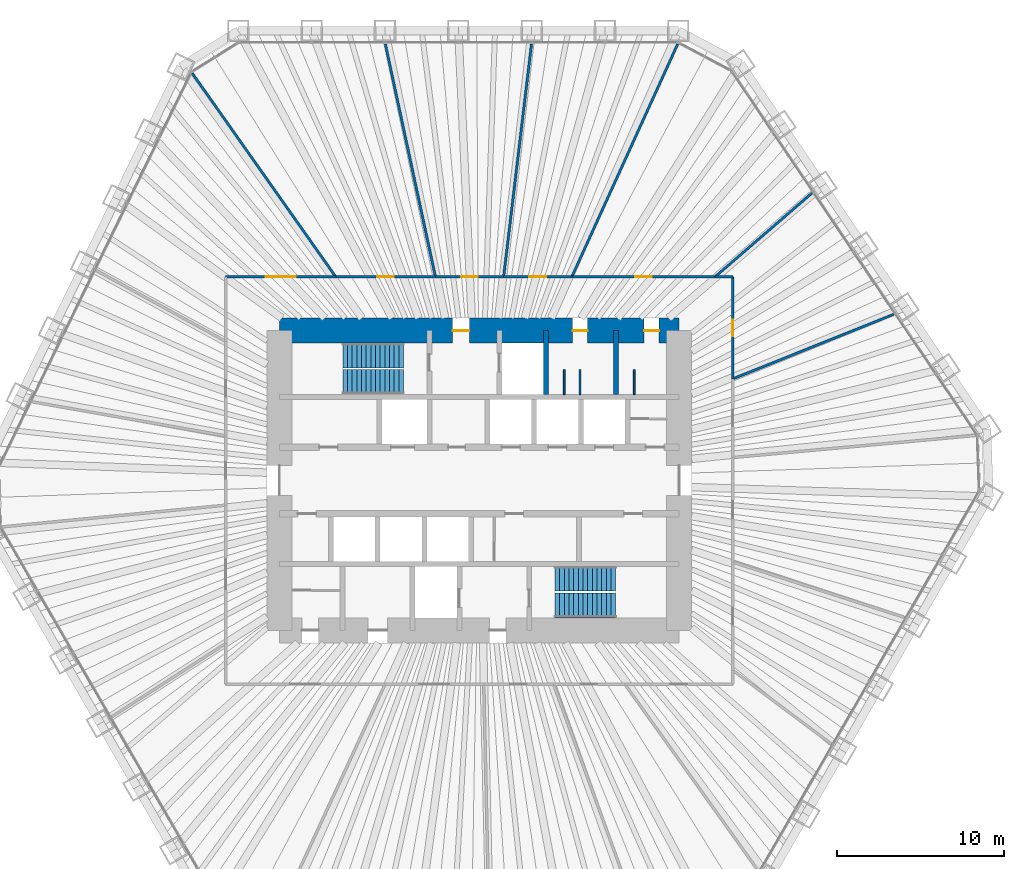
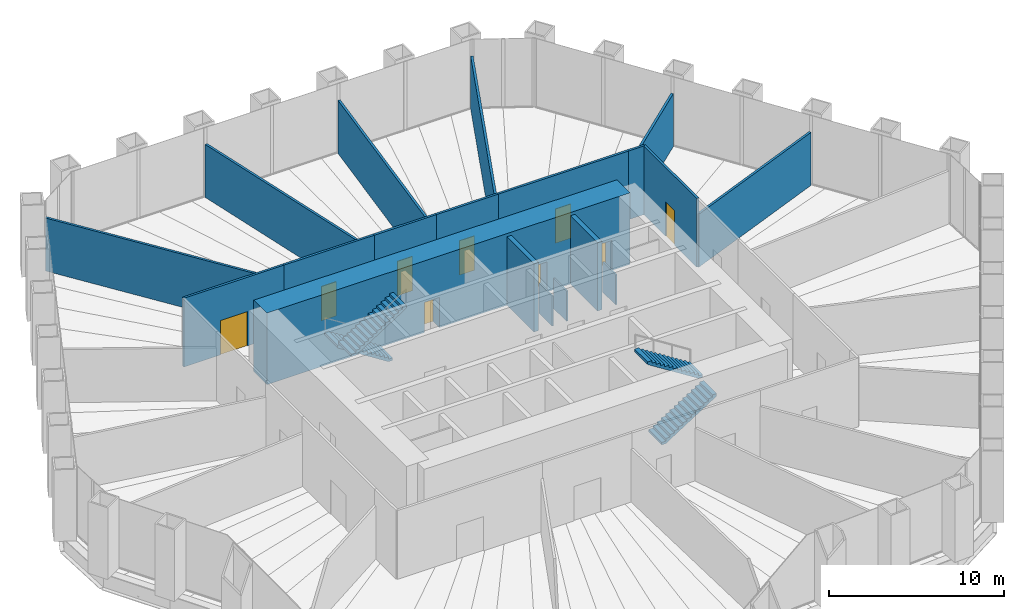
# One storey, part 12 of 13: 19 walls, 9 doors, 4 stair flights, 9 openings, 2 elements without a shape of their own.
"""IFC4 building model written with IfcOpenShell, lengths in metres."""

from ifc_helpers import new_model, si_unit, direction, frame, frame_2d, origin, place, context, subcontext, project, spatial, polyline, rectangle, outline, extrude, material, layer, layer_set, type_object, element, fill, aggregate, save


model = new_model("IFC4")

# Units and contexts
model_context = context("Model", 3, precision=1e-05, world=origin(), true_north=direction((0.0, 1.0)))
body_context = subcontext(model_context, "Body", "Model", "MODEL_VIEW")
ifc_project = project(units=[si_unit("LENGTHUNIT", "METRE"), si_unit("AREAUNIT", "SQUARE_METRE"), si_unit("VOLUMEUNIT", "CUBIC_METRE"), si_unit("PLANEANGLEUNIT", "RADIAN"), si_unit("MASSUNIT", "GRAM", prefix="KILO")], contexts=[model_context])

# Site, building, storey
site_placement = place(None, origin())
site = spatial("IfcSite", under=ifc_project, at=site_placement, CompositionType="ELEMENT")
building_placement = place(site_placement, origin())
building = spatial("IfcBuilding", under=site, at=building_placement, Name="Qingtian Harvest Tower", CompositionType="ELEMENT")
storey_placement = place(building_placement, frame((0.0, 0.0, 62.0)))
storey = spatial("IfcBuildingStorey", under=building, at=storey_placement, Name="L12", CompositionType="ELEMENT", Elevation=62.0)

# Walls
ifc_material_1 = material(Name="Precast concrete shaft panel", Category="concrete")
ifc_layer_1 = layer(ifc_material_1, 0.300048828125)
ifc_layer_set_1 = layer_set([ifc_layer_1], Name="Core shaft partition SW1 300")
wall_type_1 = type_object("IfcWallType", Name="Core shaft partition SW1 300", PredefinedType="PARTITIONING", material=ifc_layer_set_1)
for number, where, z_axis, x_axis, name in (
    (1, (4.0, 5.14990234375, 0.0), (0.0, 0.0, 1.0), (0.0, 1.0, 0.0), "Core shaft partition XN3 L12"),
    (2, (8.199951171875, 5.14990234375, 0.0), (0.0, 0.0, 1.0), (0.0, 1.0, 0.0), "Core shaft partition XN4 L12"),
):
    element("IfcWall", number, at=place(storey_placement, frame(where, z_axis=z_axis, x_axis=x_axis)), inside=storey, type_object=wall_type_1, Name=name, PredefinedType="PARTITIONING", context=body_context, shape_type="SweptSolid", body=[
        extrude(rectangle(XDim=3.85009765625, YDim=0.300048828125, at=frame_2d((1.925048828125, 0.0))), origin(), (0.0, 0.0, 1.0), 4.780029296875),
    ])

# Wall, openings, doors
ifc_material_2 = material(Name="Concrete fc' 70 MPa", Category="concrete")
ifc_layer_2 = layer(ifc_material_2, 1.5)
ifc_layer_set_2 = layer_set([ifc_layer_2], Name="Core wall RC1 1500")
wall_type_2 = type_object("IfcWallType", Name="Core wall RC1 1500", PredefinedType="SHEAR", material=ifc_layer_set_2)
wall_1_placement = place(storey_placement, frame((-12.0, 9.0, 0.0), z_axis=(0.0, 0.0, 1.0), x_axis=(1.0, 0.0, 0.0)))
wall_1 = element("IfcWall", 3, at=wall_1_placement, inside=storey, type_object=wall_type_2, Name="Core wall CN L12", PredefinedType="SHEAR", context=body_context, shape_type="SweptSolid", body=[
    extrude(rectangle(XDim=24.0, YDim=1.5, at=frame_2d((12.0, 0.0))), origin(), (0.0, 0.0, 1.0), 5.0),
])
opening_1_placement = place(wall_1_placement, frame((10.39990234375, 0.0, 0.0)))
opening_1 = element("IfcOpeningElement", 4, at=opening_1_placement, cuts=wall_1, Name="Opening FD1", PredefinedType="OPENING", context=body_context, shape_type="SweptSolid", body=[
    extrude(rectangle(XDim=1.0, YDim=2.10009765625, at=frame_2d((0.5, 1.050048828125))), frame((0.0, 0.760009765625, 0.0), z_axis=(0.0, -1.0, 0.0), x_axis=(1.0, 0.0, 0.0)), (0.0, 0.0, 1.0), 1.52001953125),
])
opening_2_placement = place(wall_1_placement, frame((17.60009765625, 0.0, 0.0)))
opening_2 = element("IfcOpeningElement", 5, at=opening_2_placement, cuts=wall_1, Name="Opening D1", PredefinedType="OPENING", context=body_context, shape_type="SweptSolid", body=[
    extrude(rectangle(XDim=0.89990234375, YDim=2.10009765625, at=frame_2d((0.449951171875, 1.050048828125))), frame((0.0, 0.760009765625, 0.0), z_axis=(0.0, -1.0, 0.0), x_axis=(1.0, 0.0, 0.0)), (0.0, 0.0, 1.0), 1.52001953125),
])
opening_3_placement = place(wall_1_placement, frame((21.89990234375, 0.0, 0.0)))
opening_3 = element("IfcOpeningElement", 6, at=opening_3_placement, cuts=wall_1, Name="Opening D1", PredefinedType="OPENING", context=body_context, shape_type="SweptSolid", body=[
    extrude(rectangle(XDim=0.89990234375, YDim=2.10009765625, at=frame_2d((0.449951171875, 1.050048828125))), frame((0.0, 0.760009765625, 0.0), z_axis=(0.0, -1.0, 0.0), x_axis=(1.0, 0.0, 0.0)), (0.0, 0.0, 1.0), 1.52001953125),
])
ifc_material_3 = material(Name="Steel-faced door leaf", Category="steel")
door_type_1 = type_object("IfcDoorType", Name="Fire door FD1 single 1 HR", OperationType="SINGLE_SWING_LEFT", PredefinedType="DOOR", material=ifc_material_3)
door_1_placement = place(opening_1_placement, origin())
door_1 = element("IfcDoor", 7, at=door_1_placement, inside=storey, type_object=door_type_1, Name="V1 door L12", OperationType="SINGLE_SWING_LEFT", OverallHeight=2.10009765625, OverallWidth=1.0, PredefinedType="DOOR", context=body_context, shape_type="SweptSolid", body=[
    extrude(rectangle(XDim=1.0, YDim=2.10009765625, at=frame_2d((0.5, 1.050048828125))), frame((0.0, 0.02490234375, 0.0), z_axis=(0.0, -1.0, 0.0), x_axis=(1.0, 0.0, 0.0)), (0.0, 0.0, 1.0), 0.050048828125),
])
fill(opening_1, door_1)
ifc_material_4 = material(Name="Laminated timber door leaf", Category="wood")
door_type_2 = type_object("IfcDoorType", Name="Toilet door D1 single", OperationType="SINGLE_SWING_LEFT", PredefinedType="DOOR", material=ifc_material_4)
door_2_placement = place(opening_2_placement, origin())
door_2 = element("IfcDoor", 8, at=door_2_placement, inside=storey, type_object=door_type_2, Name="WCM door L12", OperationType="SINGLE_SWING_RIGHT", OverallHeight=2.10009765625, OverallWidth=0.89990234375, PredefinedType="DOOR", context=body_context, shape_type="SweptSolid", body=[
    extrude(rectangle(XDim=0.89990234375, YDim=2.10009765625, at=frame_2d((0.449951171875, 1.050048828125))), frame((0.0, 0.02490234375, 0.0), z_axis=(0.0, -1.0, 0.0), x_axis=(1.0, 0.0, 0.0)), (0.0, 0.0, 1.0), 0.050048828125),
])
fill(opening_2, door_2)
door_3_placement = place(opening_3_placement, origin())
door_3 = element("IfcDoor", 9, at=door_3_placement, inside=storey, type_object=door_type_2, Name="WCF door L12", OperationType="SINGLE_SWING_RIGHT", OverallHeight=2.10009765625, OverallWidth=0.89990234375, PredefinedType="DOOR", context=body_context, shape_type="SweptSolid", body=[
    extrude(rectangle(XDim=0.89990234375, YDim=2.10009765625, at=frame_2d((0.449951171875, 1.050048828125))), frame((0.0, 0.02490234375, 0.0), z_axis=(0.0, -1.0, 0.0), x_axis=(1.0, 0.0, 0.0)), (0.0, 0.0, 1.0), 0.050048828125),
])
fill(opening_3, door_3)

# Wall
ifc_material_5 = material(Name="Gypsum board on steel studs", Category="steel")
ifc_layer_3 = layer(ifc_material_5, 0.14990234375)
ifc_layer_set_3 = layer_set([ifc_layer_3], Name="Partition PT1 150")
wall_type_3 = type_object("IfcWallType", Name="Partition PT1 150", PredefinedType="PARTITIONING", material=ifc_layer_set_3)
wall_2_placement = place(storey_placement, frame((11.914794921875, 26.208984375, 0.0), z_axis=(0.0, 0.0, 1.0), x_axis=(-0.413849644385, -0.910345248707, 0.0)))
element("IfcWall", 10, at=wall_2_placement, inside=storey, type_object=wall_type_3, Name="Mushroom growing room wall L12", PredefinedType="PARTITIONING", context=body_context, shape_type="SweptSolid", body=[
    extrude(rectangle(XDim=15.361083984375, YDim=0.14990234375, at=frame_2d((7.6806640625, 0.0))), origin(), (0.0, 0.0, 1.0), 3.699951171875),
])

# Wall, opening, door
wall_3_placement = place(storey_placement, frame((5.5576171875, 12.22509765625, 0.0), z_axis=(0.0, 0.0, 1.0), x_axis=(1.0, 0.0, 0.0)))
wall_3 = element("IfcWall", 11, at=wall_3_placement, inside=storey, type_object=wall_type_3, Name="Mushroom growing room wall L12", PredefinedType="PARTITIONING", context=body_context, shape_type="SweptSolid", body=[
    extrude(rectangle(XDim=8.593505859375, YDim=0.14990234375, at=frame_2d((4.296875, 0.0))), origin(), (0.0, 0.0, 1.0), 4.800048828125),
])
opening_4_placement = place(wall_3_placement, frame((3.796875, 0.0, 0.0)))
opening_4 = element("IfcOpeningElement", 12, at=opening_4_placement, cuts=wall_3, Name="Opening D2", PredefinedType="OPENING", context=body_context, shape_type="SweptSolid", body=[
    extrude(rectangle(XDim=1.0, YDim=2.39990234375, at=frame_2d((0.5, 1.199951171875))), frame((0.0, 0.0849609375, 0.0), z_axis=(0.0, -1.0, 0.0), x_axis=(1.0, 0.0, 0.0)), (0.0, 0.0, 1.0), 0.169921875),
])
ifc_material_6 = material(Name="Laminated timber door leaf", Category="wood")
door_type_3 = type_object("IfcDoorType", Name="Room door D2 single", OperationType="SINGLE_SWING_LEFT", PredefinedType="DOOR", material=ifc_material_6)
door_4_placement = place(opening_4_placement, origin())
door_4 = element("IfcDoor", 13, at=door_4_placement, inside=storey, type_object=door_type_3, Name="Mushroom growing room door L12", OperationType="SINGLE_SWING_RIGHT", OverallHeight=2.39990234375, OverallWidth=1.0, PredefinedType="DOOR", context=body_context, shape_type="SweptSolid", body=[
    extrude(rectangle(XDim=1.0, YDim=2.39990234375, at=frame_2d((0.5, 1.199951171875))), frame((0.0, 0.02490234375, 0.0), z_axis=(0.0, -1.0, 0.0), x_axis=(1.0, 0.0, 0.0)), (0.0, 0.0, 1.0), 0.050048828125),
])
fill(opening_4, door_4)

# Walls
wall_4_placement = place(storey_placement, frame((19.96826171875, 17.250244140625, 0.0), z_axis=(0.0, 0.0, 1.0), x_axis=(-0.756742305634, -0.653713303264, 0.0)))
element("IfcWall", 14, at=wall_4_placement, inside=storey, type_object=wall_type_3, Name="Mushroom growing room wall L12", PredefinedType="PARTITIONING", context=body_context, shape_type="SweptSolid", body=[
    extrude(rectangle(XDim=7.68701171875, YDim=0.14990234375, at=frame_2d((3.843505859375, 0.0))), origin(), (0.0, 0.0, 1.0), 3.699951171875),
])
wall_5_placement = place(storey_placement, frame((14.151123046875, 12.22509765625, 0.0), z_axis=(0.0, 0.0, 1.0), x_axis=(1.0, 0.0, 0.0)))
element("IfcWall", 15, at=wall_5_placement, inside=storey, type_object=wall_type_3, Name="Mushroom growing room wall L12", PredefinedType="PARTITIONING", context=body_context, shape_type="SweptSolid", body=[
    extrude(rectangle(XDim=1.073974609375, YDim=0.14990234375, at=frame_2d((0.537109375, 0.0))), origin(), (0.0, 0.0, 1.0), 4.800048828125),
])

# Wall, opening, door
wall_6_placement = place(storey_placement, frame((15.22509765625, 12.22509765625, 0.0), z_axis=(0.0, 0.0, 1.0), x_axis=(0.0, -1.0, 0.0)))
wall_6 = element("IfcWall", 16, at=wall_6_placement, inside=storey, type_object=wall_type_3, Name="Mushroom growing room wall L12", PredefinedType="PARTITIONING", context=body_context, shape_type="SweptSolid", body=[
    extrude(rectangle(XDim=6.1201171875, YDim=0.14990234375, at=frame_2d((3.06005859375, 0.0))), origin(), (0.0, 0.0, 1.0), 4.800048828125),
])
opening_5_placement = place(wall_6_placement, frame((2.56005859375, 0.0, 0.0)))
opening_5 = element("IfcOpeningElement", 17, at=opening_5_placement, cuts=wall_6, Name="Opening D2", PredefinedType="OPENING", context=body_context, shape_type="SweptSolid", body=[
    extrude(rectangle(XDim=1.0, YDim=2.39990234375, at=frame_2d((0.5, 1.199951171875))), frame((0.0, 0.0849609375, 0.0), z_axis=(0.0, -1.0, 0.0), x_axis=(1.0, 0.0, 0.0)), (0.0, 0.0, 1.0), 0.169921875),
])
door_5_placement = place(opening_5_placement, origin())
door_5 = element("IfcDoor", 18, at=door_5_placement, inside=storey, type_object=door_type_3, Name="Mushroom growing room door L12", OperationType="SINGLE_SWING_LEFT", OverallHeight=2.39990234375, OverallWidth=1.0, PredefinedType="DOOR", context=body_context, shape_type="SweptSolid", body=[
    extrude(rectangle(XDim=1.0, YDim=2.39990234375, at=frame_2d((0.5, 1.199951171875))), frame((0.0, 0.02490234375, 0.0), z_axis=(0.0, -1.0, 0.0), x_axis=(1.0, 0.0, 0.0)), (0.0, 0.0, 1.0), 0.050048828125),
])
fill(opening_5, door_5)

# Wall
wall_7_placement = place(storey_placement, frame((24.877197265625, 9.975341796875, 0.0), z_axis=(0.0, 0.0, 1.0), x_axis=(-0.928160631083, -0.372179852904, 0.0)))
element("IfcWall", 19, at=wall_7_placement, inside=storey, type_object=wall_type_3, Name="Mushroom growing room wall L12", PredefinedType="PARTITIONING", context=body_context, shape_type="SweptSolid", body=[
    extrude(rectangle(XDim=10.399169921875, YDim=0.14990234375, at=frame_2d((5.19970703125, 0.0))), origin(), (0.0, 0.0, 1.0), 3.699951171875),
])

# Wall, opening, door
wall_8_placement = place(storey_placement, frame((-15.22509765625, 12.22509765625, 0.0), z_axis=(0.0, 0.0, 1.0), x_axis=(1.0, 0.0, 0.0)))
wall_8 = element("IfcWall", 20, at=wall_8_placement, inside=storey, type_object=wall_type_3, Name="Mushroom growing room wall L12", PredefinedType="PARTITIONING", context=body_context, shape_type="SweptSolid", body=[
    extrude(rectangle(XDim=6.608154296875, YDim=0.14990234375, at=frame_2d((3.30419921875, 0.0))), origin(), (0.0, 0.0, 1.0), 4.800048828125),
])
opening_6_placement = place(wall_8_placement, frame((2.404052734375, 0.0, 0.0)))
opening_6 = element("IfcOpeningElement", 21, at=opening_6_placement, cuts=wall_8, Name="Opening D3", PredefinedType="OPENING", context=body_context, shape_type="SweptSolid", body=[
    extrude(rectangle(XDim=1.800048828125, YDim=2.39990234375, at=frame_2d((0.89990234375, 1.199951171875))), frame((0.0, 0.0849609375, 0.0), z_axis=(0.0, -1.0, 0.0), x_axis=(1.0, 0.0, 0.0)), (0.0, 0.0, 1.0), 0.169921875),
])
ifc_material_7 = material(Name="Laminated timber door leaf", Category="wood")
door_type_4 = type_object("IfcDoorType", Name="Room door D3 double", OperationType="DOUBLE_DOOR_DOUBLE_SWING", PredefinedType="DOOR", material=ifc_material_7)
door_6_placement = place(opening_6_placement, origin())
door_6 = element("IfcDoor", 22, at=door_6_placement, inside=storey, type_object=door_type_4, Name="Mushroom growing room door L12", OperationType="DOUBLE_DOOR_DOUBLE_SWING", OverallHeight=2.39990234375, OverallWidth=1.800048828125, PredefinedType="DOOR", context=body_context, shape_type="SweptSolid", body=[
    extrude(rectangle(XDim=1.800048828125, YDim=2.39990234375, at=frame_2d((0.89990234375, 1.199951171875))), frame((0.0, 0.02490234375, 0.0), z_axis=(0.0, -1.0, 0.0), x_axis=(1.0, 0.0, 0.0)), (0.0, 0.0, 1.0), 0.050048828125),
])
fill(opening_6, door_6)

# Wall
wall_9_placement = place(storey_placement, frame((-17.23681640625, 24.454345703125, 0.0), z_axis=(0.0, 0.0, 1.0), x_axis=(0.576123781225, -0.817362458587, 0.0)))
element("IfcWall", 23, at=wall_9_placement, inside=storey, type_object=wall_type_3, Name="Harvest wash room wall L12", PredefinedType="PARTITIONING", context=body_context, shape_type="SweptSolid", body=[
    extrude(rectangle(XDim=14.9619140625, YDim=0.14990234375, at=frame_2d((7.48095703125, 0.0))), origin(), (0.0, 0.0, 1.0), 3.699951171875),
])

# Wall, opening, door
wall_10_placement = place(storey_placement, frame((-8.616943359375, 12.22509765625, 0.0), z_axis=(0.0, 0.0, 1.0), x_axis=(1.0, 0.0, 0.0)))
wall_10 = element("IfcWall", 24, at=wall_10_placement, inside=storey, type_object=wall_type_3, Name="Harvest wash room wall L12", PredefinedType="PARTITIONING", context=body_context, shape_type="SweptSolid", body=[
    extrude(rectangle(XDim=5.98486328125, YDim=0.14990234375, at=frame_2d((2.992431640625, 0.0))), origin(), (0.0, 0.0, 1.0), 4.800048828125),
])
opening_7_placement = place(wall_10_placement, frame((2.492431640625, 0.0, 0.0)))
opening_7 = element("IfcOpeningElement", 25, at=opening_7_placement, cuts=wall_10, Name="Opening D2", PredefinedType="OPENING", context=body_context, shape_type="SweptSolid", body=[
    extrude(rectangle(XDim=1.0, YDim=2.39990234375, at=frame_2d((0.5, 1.199951171875))), frame((0.0, 0.0849609375, 0.0), z_axis=(0.0, -1.0, 0.0), x_axis=(1.0, 0.0, 0.0)), (0.0, 0.0, 1.0), 0.169921875),
])
door_7_placement = place(opening_7_placement, origin())
door_7 = element("IfcDoor", 26, at=door_7_placement, inside=storey, type_object=door_type_3, Name="Harvest wash room door L12", OperationType="SINGLE_SWING_LEFT", OverallHeight=2.39990234375, OverallWidth=1.0, PredefinedType="DOOR", context=body_context, shape_type="SweptSolid", body=[
    extrude(rectangle(XDim=1.0, YDim=2.39990234375, at=frame_2d((0.5, 1.199951171875))), frame((0.0, 0.02490234375, 0.0), z_axis=(0.0, -1.0, 0.0), x_axis=(1.0, 0.0, 0.0)), (0.0, 0.0, 1.0), 0.050048828125),
])
fill(opening_7, door_7)

# Wall
wall_11_placement = place(storey_placement, frame((-5.64111328125, 26.2021484375, 0.0), z_axis=(0.0, 0.0, 1.0), x_axis=(0.21046192705, -0.977602054653, 0.0)))
element("IfcWall", 27, at=wall_11_placement, inside=storey, type_object=wall_type_3, Name="Spawn store wall L12", PredefinedType="PARTITIONING", context=body_context, shape_type="SweptSolid", body=[
    extrude(rectangle(XDim=14.29736328125, YDim=0.14990234375, at=frame_2d((7.148681640625, 0.0))), origin(), (0.0, 0.0, 1.0), 3.699951171875),
])

# Wall, opening, door
wall_12_placement = place(storey_placement, frame((-2.632080078125, 12.22509765625, 0.0), z_axis=(0.0, 0.0, 1.0), x_axis=(1.0, 0.0, 0.0)))
wall_12 = element("IfcWall", 28, at=wall_12_placement, inside=storey, type_object=wall_type_3, Name="Spawn store wall L12", PredefinedType="PARTITIONING", context=body_context, shape_type="SweptSolid", body=[
    extrude(rectangle(XDim=4.094970703125, YDim=0.14990234375, at=frame_2d((2.04736328125, 0.0))), origin(), (0.0, 0.0, 1.0), 4.800048828125),
])
opening_8_placement = place(wall_12_placement, frame((1.54736328125, 0.0, 0.0)))
opening_8 = element("IfcOpeningElement", 29, at=opening_8_placement, cuts=wall_12, Name="Opening D2", PredefinedType="OPENING", context=body_context, shape_type="SweptSolid", body=[
    extrude(rectangle(XDim=1.0, YDim=2.39990234375, at=frame_2d((0.5, 1.199951171875))), frame((0.0, 0.0849609375, 0.0), z_axis=(0.0, -1.0, 0.0), x_axis=(1.0, 0.0, 0.0)), (0.0, 0.0, 1.0), 0.169921875),
])
door_8_placement = place(opening_8_placement, origin())
door_8 = element("IfcDoor", 30, at=door_8_placement, inside=storey, type_object=door_type_3, Name="Spawn store door L12", OperationType="SINGLE_SWING_RIGHT", OverallHeight=2.39990234375, OverallWidth=1.0, PredefinedType="DOOR", context=body_context, shape_type="SweptSolid", body=[
    extrude(rectangle(XDim=1.0, YDim=2.39990234375, at=frame_2d((0.5, 1.199951171875))), frame((0.0, 0.02490234375, 0.0), z_axis=(0.0, -1.0, 0.0), x_axis=(1.0, 0.0, 0.0)), (0.0, 0.0, 1.0), 0.050048828125),
])
fill(opening_8, door_8)

# Wall
wall_13_placement = place(storey_placement, frame((3.135009765625, 26.20068359375, 0.0), z_axis=(0.0, 0.0, 1.0), x_axis=(-0.118798442734, -0.992918390405, 0.0)))
element("IfcWall", 31, at=wall_13_placement, inside=storey, type_object=wall_type_3, Name="Packing room wall L12", PredefinedType="PARTITIONING", context=body_context, shape_type="SweptSolid", body=[
    extrude(rectangle(XDim=14.0751953125, YDim=0.14990234375, at=frame_2d((7.03759765625, 0.0))), origin(), (0.0, 0.0, 1.0), 3.699951171875),
])

# Wall, opening, door
wall_14_placement = place(storey_placement, frame((1.462890625, 12.22509765625, 0.0), z_axis=(0.0, 0.0, 1.0), x_axis=(1.0, 0.0, 0.0)))
wall_14 = element("IfcWall", 32, at=wall_14_placement, inside=storey, type_object=wall_type_3, Name="Packing room wall L12", PredefinedType="PARTITIONING", context=body_context, shape_type="SweptSolid", body=[
    extrude(rectangle(XDim=4.0947265625, YDim=0.14990234375, at=frame_2d((2.04736328125, 0.0))), origin(), (0.0, 0.0, 1.0), 4.800048828125),
])
opening_9_placement = place(wall_14_placement, frame((1.54736328125, 0.0, 0.0)))
opening_9 = element("IfcOpeningElement", 33, at=opening_9_placement, cuts=wall_14, Name="Opening D2", PredefinedType="OPENING", context=body_context, shape_type="SweptSolid", body=[
    extrude(rectangle(XDim=1.0, YDim=2.39990234375, at=frame_2d((0.5, 1.199951171875))), frame((0.0, 0.0849609375, 0.0), z_axis=(0.0, -1.0, 0.0), x_axis=(1.0, 0.0, 0.0)), (0.0, 0.0, 1.0), 0.169921875),
])
door_9_placement = place(opening_9_placement, origin())
door_9 = element("IfcDoor", 34, at=door_9_placement, inside=storey, type_object=door_type_3, Name="Packing room door L12", OperationType="SINGLE_SWING_RIGHT", OverallHeight=2.39990234375, OverallWidth=1.0, PredefinedType="DOOR", context=body_context, shape_type="SweptSolid", body=[
    extrude(rectangle(XDim=1.0, YDim=2.39990234375, at=frame_2d((0.5, 1.199951171875))), frame((0.0, 0.02490234375, 0.0), z_axis=(0.0, -1.0, 0.0), x_axis=(1.0, 0.0, 0.0)), (0.0, 0.0, 1.0), 0.050048828125),
])
fill(opening_9, door_9)

# Walls
ifc_material_8 = material(Name="Compact laminate cubicle partition", Category="plastic")
ifc_layer_4 = layer(ifc_material_8, 0.10009765625)
ifc_layer_set_4 = layer_set([ifc_layer_4], Name="WC cubicle partition WP1 100")
wall_type_4 = type_object("IfcWallType", Name="WC cubicle partition WP1 100", PredefinedType="PARTITIONING", material=ifc_layer_set_4)
for number, where, z_axis, x_axis, name in (
    (35, (5.10009765625, 5.14990234375, 0.0), (0.0, 0.0, 1.0), (0.0, 1.0, 0.0), "WC cubicle partition WCM L12"),
    (36, (6.050048828125, 5.14990234375, 0.0), (0.0, 0.0, 1.0), (0.0, 1.0, 0.0), "WC cubicle partition WCM L12"),
    (37, (9.300048828125, 5.14990234375, 0.0), (0.0, 0.0, 1.0), (0.0, 1.0, 0.0), "WC cubicle partition WCF L12"),
):
    element("IfcWall", number, at=place(storey_placement, frame(where, z_axis=z_axis, x_axis=x_axis)), inside=storey, type_object=wall_type_4, Name=name, PredefinedType="PARTITIONING", context=body_context, shape_type="SweptSolid", body=[
        extrude(rectangle(XDim=1.5, YDim=0.10009765625, at=frame_2d((0.75, 0.0))), origin(), (0.0, 0.0, 1.0), 2.10009765625),
    ])

# Stair, stair flights
ifc_material_9 = material(Name="Concrete fc' 35 MPa", Category="concrete")
stair_type = type_object("IfcStairType", Name="Special stair ST2 5000", PredefinedType="HALF_TURN_STAIR", material=ifc_material_9)
stair_1_placement = place(storey_placement, origin())
stair_1 = element("IfcStair", 38, at=stair_1_placement, inside=storey, type_object=stair_type, Name="Special stair S1 L12", PredefinedType="HALF_TURN_STAIR")
ifc_material_10 = material(Name="Concrete fc' 35 MPa", Category="concrete")
stair_flight_type = type_object("IfcStairFlightType", Name="Stair flight SF2 5000", PredefinedType="STRAIGHT", material=ifc_material_10)
stair_flight_1_placement = place(storey_placement, frame((-4.550048828125, 7.5, 0.0), z_axis=(0.0, 0.0, 1.0), x_axis=(-1.0, 0.0, 0.0)))
stair_flight_1 = element("IfcStairFlight", 39, at=stair_flight_1_placement, type_object=stair_flight_type, Name="S1 flight 1", NumberOfRisers=14, NumberOfTreads=13, PredefinedType="STRAIGHT", RiserHeight=0.178571429, TreadLength=0.28, context=body_context, shape_type="SweptSolid", body=[
    extrude(outline(polyline([(0.0, 0.0), (0.0, 0.178466796875), (0.280029296875, 0.178466796875), (0.280029296875, 0.357177734375), (0.56005859375, 0.357177734375), (0.56005859375, 0.53564453125), (0.840087890625, 0.53564453125), (0.840087890625, 0.71435546875), (1.1201171875, 0.71435546875), (1.1201171875, 0.892822265625), (1.39990234375, 0.892822265625), (1.39990234375, 1.071533203125), (1.679931640625, 1.071533203125), (1.679931640625, 1.25), (1.9599609375, 1.25), (1.9599609375, 1.428466796875), (2.239990234375, 1.428466796875), (2.239990234375, 1.607177734375), (2.52001953125, 1.607177734375), (2.52001953125, 1.78564453125), (2.800048828125, 1.78564453125), (2.800048828125, 1.96435546875), (3.080078125, 1.96435546875), (3.080078125, 2.142822265625), (3.360107421875, 2.142822265625), (3.360107421875, 2.321533203125), (3.639892578125, 2.321533203125), (3.639892578125, 2.5), (3.639892578125, 2.1435546875), (0.27880859375, 0.0), (0.0, 0.0)])), frame((0.0, 0.75, 0.0), z_axis=(0.0, -1.0, 0.0), x_axis=(1.0, 0.0, 0.0)), (0.0, 0.0, 1.0), 1.5),
])
stair_flight_2_placement = place(storey_placement, frame((-8.18994140625, 5.89990234375, 2.5), z_axis=(0.0, 0.0, 1.0), x_axis=(1.0, 0.0, 0.0)))
stair_flight_2 = element("IfcStairFlight", 40, at=stair_flight_2_placement, type_object=stair_flight_type, Name="S1 flight 2", NumberOfRisers=14, NumberOfTreads=13, PredefinedType="STRAIGHT", RiserHeight=0.178571429, TreadLength=0.28, context=body_context, shape_type="SweptSolid", body=[
    extrude(outline(polyline([(0.0, 0.0), (0.0, 0.178466796875), (0.280029296875, 0.178466796875), (0.280029296875, 0.357177734375), (0.56005859375, 0.357177734375), (0.56005859375, 0.53564453125), (0.840087890625, 0.53564453125), (0.840087890625, 0.71435546875), (1.1201171875, 0.71435546875), (1.1201171875, 0.892822265625), (1.39990234375, 0.892822265625), (1.39990234375, 1.071533203125), (1.679931640625, 1.071533203125), (1.679931640625, 1.25), (1.9599609375, 1.25), (1.9599609375, 1.428466796875), (2.239990234375, 1.428466796875), (2.239990234375, 1.607177734375), (2.52001953125, 1.607177734375), (2.52001953125, 1.78564453125), (2.800048828125, 1.78564453125), (2.800048828125, 1.96435546875), (3.080078125, 1.96435546875), (3.080078125, 2.142822265625), (3.360107421875, 2.142822265625), (3.360107421875, 2.321533203125), (3.639892578125, 2.321533203125), (3.639892578125, 2.5), (3.639892578125, 2.1435546875), (0.27880859375, 0.0), (0.0, 0.0)])), frame((0.0, 0.75, 0.0), z_axis=(0.0, -1.0, 0.0), x_axis=(1.0, 0.0, 0.0)), (0.0, 0.0, 1.0), 1.5),
])
aggregate(stair_1, [stair_flight_1, stair_flight_2])

stair_2_placement = place(storey_placement, origin())
stair_2 = element("IfcStair", 41, at=stair_2_placement, inside=storey, type_object=stair_type, Name="Special stair S2 L12", PredefinedType="HALF_TURN_STAIR")
stair_flight_3_placement = place(storey_placement, frame((4.550048828125, -7.5, 0.0), z_axis=(0.0, 0.0, 1.0), x_axis=(1.0, 0.0, 0.0)))
stair_flight_3 = element("IfcStairFlight", 42, at=stair_flight_3_placement, type_object=stair_flight_type, Name="S2 flight 1", NumberOfRisers=14, NumberOfTreads=13, PredefinedType="STRAIGHT", RiserHeight=0.178571429, TreadLength=0.28, context=body_context, shape_type="SweptSolid", body=[
    extrude(outline(polyline([(0.0, 0.0), (0.0, 0.178466796875), (0.280029296875, 0.178466796875), (0.280029296875, 0.357177734375), (0.56005859375, 0.357177734375), (0.56005859375, 0.53564453125), (0.840087890625, 0.53564453125), (0.840087890625, 0.71435546875), (1.1201171875, 0.71435546875), (1.1201171875, 0.892822265625), (1.39990234375, 0.892822265625), (1.39990234375, 1.071533203125), (1.679931640625, 1.071533203125), (1.679931640625, 1.25), (1.9599609375, 1.25), (1.9599609375, 1.428466796875), (2.239990234375, 1.428466796875), (2.239990234375, 1.607177734375), (2.52001953125, 1.607177734375), (2.52001953125, 1.78564453125), (2.800048828125, 1.78564453125), (2.800048828125, 1.96435546875), (3.080078125, 1.96435546875), (3.080078125, 2.142822265625), (3.360107421875, 2.142822265625), (3.360107421875, 2.321533203125), (3.639892578125, 2.321533203125), (3.639892578125, 2.5), (3.639892578125, 2.1435546875), (0.27880859375, 0.0), (0.0, 0.0)])), frame((0.0, 0.75, 0.0), z_axis=(0.0, -1.0, 0.0), x_axis=(1.0, 0.0, 0.0)), (0.0, 0.0, 1.0), 1.5),
])
stair_flight_4_placement = place(storey_placement, frame((8.18994140625, -5.89990234375, 2.5), z_axis=(0.0, 0.0, 1.0), x_axis=(-1.0, 0.0, 0.0)))
stair_flight_4 = element("IfcStairFlight", 43, at=stair_flight_4_placement, type_object=stair_flight_type, Name="S2 flight 2", NumberOfRisers=14, NumberOfTreads=13, PredefinedType="STRAIGHT", RiserHeight=0.178571429, TreadLength=0.28, context=body_context, shape_type="SweptSolid", body=[
    extrude(outline(polyline([(0.0, 0.0), (0.0, 0.178466796875), (0.280029296875, 0.178466796875), (0.280029296875, 0.357177734375), (0.56005859375, 0.357177734375), (0.56005859375, 0.53564453125), (0.840087890625, 0.53564453125), (0.840087890625, 0.71435546875), (1.1201171875, 0.71435546875), (1.1201171875, 0.892822265625), (1.39990234375, 0.892822265625), (1.39990234375, 1.071533203125), (1.679931640625, 1.071533203125), (1.679931640625, 1.25), (1.9599609375, 1.25), (1.9599609375, 1.428466796875), (2.239990234375, 1.428466796875), (2.239990234375, 1.607177734375), (2.52001953125, 1.607177734375), (2.52001953125, 1.78564453125), (2.800048828125, 1.78564453125), (2.800048828125, 1.96435546875), (3.080078125, 1.96435546875), (3.080078125, 2.142822265625), (3.360107421875, 2.142822265625), (3.360107421875, 2.321533203125), (3.639892578125, 2.321533203125), (3.639892578125, 2.5), (3.639892578125, 2.1435546875), (0.27880859375, 0.0), (0.0, 0.0)])), frame((0.0, 0.75, 0.0), z_axis=(0.0, -1.0, 0.0), x_axis=(1.0, 0.0, 0.0)), (0.0, 0.0, 1.0), 1.5),
])
aggregate(stair_2, [stair_flight_3, stair_flight_4])

save(model, "model.ifc")
